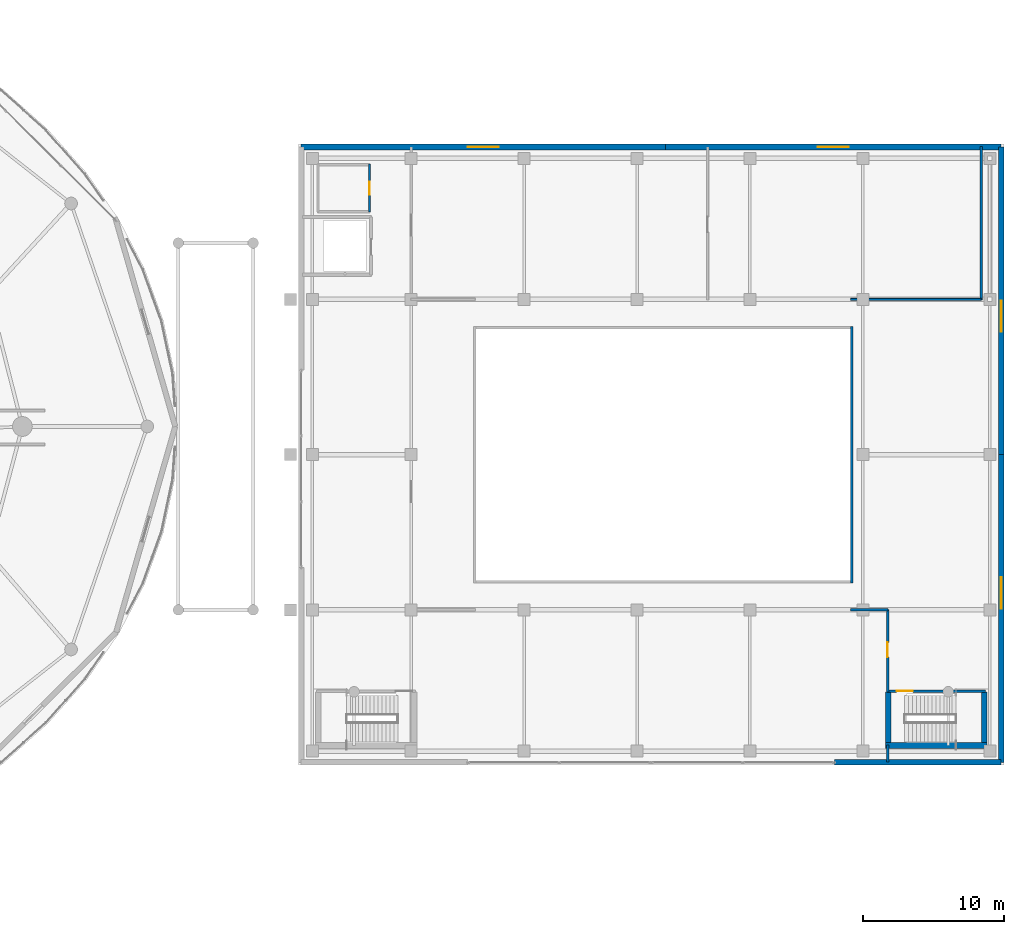
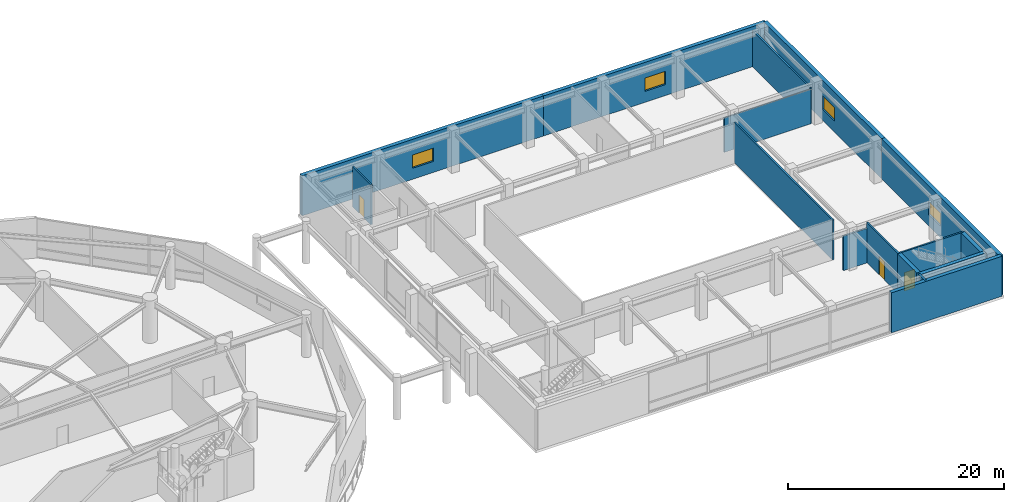
# One storey, part 31 of 40: 16 walls, 4 windows, 3 doors, 7 openings.
"""IFC4 building model written with IfcOpenShell, lengths in metres."""

from ifc_helpers import new_model, si_unit, direction, frame, frame_2d, origin, place, context, subcontext, project, spatial, rectangle, extrude, material, layer, layer_set, type_object, element, fill, save


model = new_model("IFC4")

# Units and contexts
model_context = context("Model", 3, precision=1e-05, world=origin(), true_north=direction((0.0, 1.0)))
body_context = subcontext(model_context, "Body", "Model", "MODEL_VIEW")
ifc_project = project(units=[si_unit("LENGTHUNIT", "METRE"), si_unit("AREAUNIT", "SQUARE_METRE"), si_unit("VOLUMEUNIT", "CUBIC_METRE"), si_unit("PLANEANGLEUNIT", "RADIAN"), si_unit("MASSUNIT", "GRAM", prefix="KILO")], contexts=[model_context])

# Site, building, storey
site_placement = place(None, origin())
site = spatial("IfcSite", under=ifc_project, at=site_placement, CompositionType="ELEMENT")
building_placement = place(site_placement, origin())
building = spatial("IfcBuilding", under=site, at=building_placement, Name="Kazevale Care Tower and Concert Hall", CompositionType="ELEMENT")
storey_placement = place(building_placement, frame((0.0, 0.0, 4.800048828125)))
storey = spatial("IfcBuildingStorey", under=building, at=storey_placement, Name="L01", CompositionType="ELEMENT", Elevation=4.800048828125)

# Walls
ifc_material_1 = material(Name="Acoustic Gypsum on Steel Stud", Category="steel")
ifc_layer_1 = layer(ifc_material_1, 0.139892578125)
ifc_layer_set_1 = layer_set([ifc_layer_1], Name="Acoustic Gypsum on Steel Stud")
wall_type_1 = type_object("IfcWallType", Name="Acoustic Care & Suite Partition 140", PredefinedType="PARTITIONING", material=ifc_layer_set_1)
wall_1_placement = place(storey_placement, frame((144.3798828125, 47.0, 0.0), z_axis=(0.0, 0.0, 1.0), x_axis=(-1.0, 0.0, 0.0)))
element("IfcWall", 1, at=wall_1_placement, inside=storey, type_object=wall_type_1, Name="wall:L01:auto_034", PredefinedType="PARTITIONING", context=body_context, shape_type="SweptSolid", body=[
    extrude(rectangle(XDim=9.244873046875, YDim=0.139892578125, at=frame_2d((4.62255859375, 0.0))), origin(), (0.0, 0.0, 1.0), 3.89892578125),
])
ifc_material_2 = material(Name="Concrete C40 with Honed Limestone Cladding", Category="masonry")
ifc_layer_2 = layer(ifc_material_2, 0.39990234375)
ifc_layer_set_2 = layer_set([ifc_layer_2], Name="Concrete C40 with Honed Limestone Cladding")
wall_type_2 = type_object("IfcWallType", Name="Concert Hall Acoustic Limestone Wall 400", PredefinedType="STANDARD", material=ifc_layer_set_2)
wall_2_placement = place(storey_placement, frame((134.0, 14.199951171875, 0.0), z_axis=(0.0, 0.0, 1.0), x_axis=(1.0, 0.0, 0.0)))
element("IfcWall", 2, at=wall_2_placement, inside=storey, type_object=wall_type_2, Name="wall:L01:hallew:S4", PredefinedType="STANDARD", context=body_context, shape_type="SweptSolid", body=[
    extrude(rectangle(XDim=11.800048828125, YDim=0.39990234375, at=frame_2d((5.89990234375, 0.0))), origin(), (0.0, 0.0, 1.0), 4.52001953125),
])

# Wall, opening, window
wall_3_placement = place(storey_placement, frame((145.800048828125, 14.199951171875, 0.0), z_axis=(0.0, 0.0, 1.0), x_axis=(0.0, 1.0, 0.0)))
wall_3 = element("IfcWall", 3, at=wall_3_placement, inside=storey, type_object=wall_type_2, Name="wall:L01:hallew:E1", PredefinedType="STANDARD", context=body_context, shape_type="SweptSolid", body=[
    extrude(rectangle(XDim=21.800048828125, YDim=0.39990234375, at=frame_2d((10.89990234375, 0.0))), origin(), (0.0, 0.0, 1.0), 4.52001953125),
])
opening_1_placement = place(wall_3_placement, frame((10.89990234375, 0.0, 1.25)))
opening_1 = element("IfcOpeningElement", 4, at=opening_1_placement, cuts=wall_3, Name="Opening WIN-3", PredefinedType="OPENING", context=body_context, shape_type="SweptSolid", body=[
    extrude(rectangle(XDim=2.199951171875, YDim=1.5, at=frame_2d((1.10009765625, 0.75))), frame((0.0, 0.2099609375, 0.0), z_axis=(0.0, -1.0, 0.0), x_axis=(1.0, 0.0, 0.0)), (0.0, 0.0, 1.0), 0.419921875),
])
ifc_material_3 = material(Name="Low-E Laminated Glass", Category="glass")
window_type = type_object("IfcWindowType", Name="Concert Hall Clerestory Window 2200x1500", PartitioningType="TRIPLE_PANEL_VERTICAL", PredefinedType="WINDOW", material=ifc_material_3)
window_1_placement = place(opening_1_placement, origin())
window_1 = element("IfcWindow", 5, at=window_1_placement, inside=storey, type_object=window_type, Name="win:L01:hall:E1", OverallHeight=1.5, OverallWidth=2.199951171875, PartitioningType="SINGLE_PANEL", PredefinedType="WINDOW", context=body_context, shape_type="SweptSolid", body=[
    extrude(rectangle(XDim=2.199951171875, YDim=1.5, at=frame_2d((1.10009765625, 0.75))), frame((0.0, 0.030029296875, 0.0), z_axis=(0.0, -1.0, 0.0), x_axis=(1.0, 0.0, 0.0)), (0.0, 0.0, 1.0), 0.06005859375),
])
fill(opening_1, window_1)

wall_4_placement = place(storey_placement, frame((145.800048828125, 36.0, 0.0), z_axis=(0.0, 0.0, 1.0), x_axis=(0.0, 1.0, 0.0)))
wall_4 = element("IfcWall", 6, at=wall_4_placement, inside=storey, type_object=wall_type_2, Name="wall:L01:hallew:E2", PredefinedType="STANDARD", context=body_context, shape_type="SweptSolid", body=[
    extrude(rectangle(XDim=21.800048828125, YDim=0.39990234375, at=frame_2d((10.89990234375, 0.0))), origin(), (0.0, 0.0, 1.0), 4.52001953125),
])
opening_2_placement = place(wall_4_placement, frame((8.699951171875, 0.0, 1.25)))
opening_2 = element("IfcOpeningElement", 7, at=opening_2_placement, cuts=wall_4, Name="Opening WIN-3", PredefinedType="OPENING", context=body_context, shape_type="SweptSolid", body=[
    extrude(rectangle(XDim=2.199951171875, YDim=1.5, at=frame_2d((1.10009765625, 0.75))), frame((0.0, 0.2099609375, 0.0), z_axis=(0.0, -1.0, 0.0), x_axis=(1.0, 0.0, 0.0)), (0.0, 0.0, 1.0), 0.419921875),
])
window_2_placement = place(opening_2_placement, origin())
window_2 = element("IfcWindow", 8, at=window_2_placement, inside=storey, type_object=window_type, Name="win:L01:hall:E2", OverallHeight=1.5, OverallWidth=2.199951171875, PartitioningType="SINGLE_PANEL", PredefinedType="WINDOW", context=body_context, shape_type="SweptSolid", body=[
    extrude(rectangle(XDim=2.199951171875, YDim=1.5, at=frame_2d((1.10009765625, 0.75))), frame((0.0, 0.030029296875, 0.0), z_axis=(0.0, -1.0, 0.0), x_axis=(1.0, 0.0, 0.0)), (0.0, 0.0, 1.0), 0.06005859375),
])
fill(opening_2, window_2)

wall_5_placement = place(storey_placement, frame((145.800048828125, 57.800048828125, 0.0), z_axis=(0.0, 0.0, 1.0), x_axis=(-1.0, 0.0, 0.0)))
wall_5 = element("IfcWall", 9, at=wall_5_placement, inside=storey, type_object=wall_type_2, Name="wall:L01:hallew:N1", PredefinedType="STANDARD", context=body_context, shape_type="SweptSolid", body=[
    extrude(rectangle(XDim=23.800048828125, YDim=0.39990234375, at=frame_2d((11.89990234375, 0.0))), origin(), (0.0, 0.0, 1.0), 4.52001953125),
])
opening_3_placement = place(wall_5_placement, frame((10.800048828125, 0.0, 1.25)))
opening_3 = element("IfcOpeningElement", 10, at=opening_3_placement, cuts=wall_5, Name="Opening WIN-3", PredefinedType="OPENING", context=body_context, shape_type="SweptSolid", body=[
    extrude(rectangle(XDim=2.199951171875, YDim=1.5, at=frame_2d((1.10009765625, 0.75))), frame((0.0, 0.2099609375, 0.0), z_axis=(0.0, -1.0, 0.0), x_axis=(1.0, 0.0, 0.0)), (0.0, 0.0, 1.0), 0.419921875),
])
window_3_placement = place(opening_3_placement, origin())
window_3 = element("IfcWindow", 11, at=window_3_placement, inside=storey, type_object=window_type, Name="win:L01:hall:N1", OverallHeight=1.5, OverallWidth=2.199951171875, PartitioningType="SINGLE_PANEL", PredefinedType="WINDOW", context=body_context, shape_type="SweptSolid", body=[
    extrude(rectangle(XDim=2.199951171875, YDim=1.5, at=frame_2d((1.10009765625, 0.75))), frame((0.0, 0.030029296875, 0.0), z_axis=(0.0, -1.0, 0.0), x_axis=(1.0, 0.0, 0.0)), (0.0, 0.0, 1.0), 0.06005859375),
])
fill(opening_3, window_3)

wall_6_placement = place(storey_placement, frame((122.0, 57.800048828125, 0.0), z_axis=(0.0, 0.0, 1.0), x_axis=(-1.0, 0.0, 0.0)))
wall_6 = element("IfcWall", 12, at=wall_6_placement, inside=storey, type_object=wall_type_2, Name="wall:L01:hallew:N2", PredefinedType="STANDARD", context=body_context, shape_type="SweptSolid", body=[
    extrude(rectangle(XDim=25.800048828125, YDim=0.39990234375, at=frame_2d((12.89990234375, 0.0))), origin(), (0.0, 0.0, 1.0), 4.52001953125),
])
opening_4_placement = place(wall_6_placement, frame((11.800048828125, 0.0, 1.25)))
opening_4 = element("IfcOpeningElement", 13, at=opening_4_placement, cuts=wall_6, Name="Opening WIN-3", PredefinedType="OPENING", context=body_context, shape_type="SweptSolid", body=[
    extrude(rectangle(XDim=2.199951171875, YDim=1.5, at=frame_2d((1.10009765625, 0.75))), frame((0.0, 0.2099609375, 0.0), z_axis=(0.0, -1.0, 0.0), x_axis=(1.0, 0.0, 0.0)), (0.0, 0.0, 1.0), 0.419921875),
])
window_4_placement = place(opening_4_placement, origin())
window_4 = element("IfcWindow", 14, at=window_4_placement, inside=storey, type_object=window_type, Name="win:L01:hall:N2", OverallHeight=1.5, OverallWidth=2.199951171875, PartitioningType="SINGLE_PANEL", PredefinedType="WINDOW", context=body_context, shape_type="SweptSolid", body=[
    extrude(rectangle(XDim=2.199951171875, YDim=1.5, at=frame_2d((1.10009765625, 0.75))), frame((0.0, 0.030029296875, 0.0), z_axis=(0.0, -1.0, 0.0), x_axis=(1.0, 0.0, 0.0)), (0.0, 0.0, 1.0), 0.06005859375),
])
fill(opening_4, window_4)

# Walls
ifc_material_4 = material(Name="Concrete C50", Category="concrete")
ifc_layer_3 = layer(ifc_material_4, 0.39990234375)
ifc_layer_set_3 = layer_set([ifc_layer_3], Name="Concrete C50")
wall_type_3 = type_object("IfcWallType", Name="Concert Hall Shear Core Wall 400 C50", PredefinedType="SHEAR", material=ifc_layer_set_3)
wall_7_placement = place(storey_placement, frame((137.60009765625, 15.39990234375, 0.0), z_axis=(0.0, 0.0, 1.0), x_axis=(1.0, 0.0, 0.0)))
element("IfcWall", 15, at=wall_7_placement, inside=storey, type_object=wall_type_3, Name="wall:L01:ST5:S", PredefinedType="SHEAR", context=body_context, shape_type="SweptSolid", body=[
    extrude(rectangle(XDim=7.199951171875, YDim=0.39990234375, at=frame_2d((3.60009765625, 0.0))), origin(), (0.0, 0.0, 1.0), 4.52001953125),
])
for number, where, z_axis, x_axis, name in (
    (16, (137.800048828125, 15.60009765625, 0.0), (0.0, 0.0, 1.0), (0.0, 1.0, 0.0), "wall:L01:ST5:W"),
    (17, (144.60009765625, 15.60009765625, 0.0), (0.0, 0.0, 1.0), (0.0, 1.0, 0.0), "wall:L01:ST5:E"),
):
    element("IfcWall", number, at=place(storey_placement, frame(where, z_axis=z_axis, x_axis=x_axis)), inside=storey, type_object=wall_type_3, Name=name, PredefinedType="SHEAR", context=body_context, shape_type="SweptSolid", body=[
        extrude(rectangle(XDim=3.599853515625, YDim=0.39990234375, at=frame_2d((1.7998046875, 0.0))), origin(), (0.0, 0.0, 1.0), 4.52001953125),
    ])

# Wall, opening, door
ifc_material_5 = material(Name="Concrete C40 and Acoustic Gypsum", Category="concrete")
ifc_layer_4 = layer(ifc_material_5, 0.179931640625)
ifc_layer_set_4 = layer_set([ifc_layer_4], Name="Concrete C40 and Acoustic Gypsum")
wall_type_4 = type_object("IfcWallType", Name="Fire-Rated Corridor & Party Wall 180", PredefinedType="PARTITIONING", material=ifc_layer_set_4)
wall_8_placement = place(storey_placement, frame((137.699951171875, 19.25, 0.0), z_axis=(0.0, 0.0, 1.0), x_axis=(1.0, 0.0, 0.0)))
wall_8 = element("IfcWall", 18, at=wall_8_placement, inside=storey, type_object=wall_type_4, Name="wall:L01:hall_st5_n", PredefinedType="PARTITIONING", context=body_context, shape_type="SweptSolid", body=[
    extrude(rectangle(XDim=7.0, YDim=0.179931640625, at=frame_2d((3.5, 0.0))), origin(), (0.0, 0.0, 1.0), 4.52001953125),
])
opening_5_placement = place(wall_8_placement, frame((0.68505859375, 0.0, 0.0)))
opening_5 = element("IfcOpeningElement", 19, at=opening_5_placement, cuts=wall_8, Name="Opening FD-90", PredefinedType="OPENING", context=body_context, shape_type="SweptSolid", body=[
    extrude(rectangle(XDim=1.14990234375, YDim=2.10009765625, at=frame_2d((0.574951171875, 1.050048828125))), frame((0.0, 0.099853515625, 0.0), z_axis=(0.0, -1.0, 0.0), x_axis=(1.0, 0.0, 0.0)), (0.0, 0.0, 1.0), 0.199951171875),
])
ifc_material_6 = material(Name="Steel ASTM A572 Gr 50", Category="steel")
door_type_1 = type_object("IfcDoorType", Name="Pressurized Stair & Lobby Fire Door 1150x2100", OperationType="NOTDEFINED", PredefinedType="DOOR", material=ifc_material_6)
door_1_placement = place(opening_5_placement, origin())
door_1 = element("IfcDoor", 20, at=door_1_placement, inside=storey, type_object=door_type_1, Name="door:L01:hst5", OperationType="SINGLE_SWING_LEFT", OverallHeight=2.10009765625, OverallWidth=1.14990234375, PredefinedType="DOOR", context=body_context, shape_type="SweptSolid", body=[
    extrude(rectangle(XDim=1.14990234375, YDim=2.10009765625, at=frame_2d((0.574951171875, 1.050048828125))), frame((0.0, 0.02490234375, 0.0), z_axis=(0.0, -1.0, 0.0), x_axis=(1.0, 0.0, 0.0)), (0.0, 0.0, 1.0), 0.050048828125),
])
fill(opening_5, door_1)

# Walls
wall_9_placement = place(storey_placement, frame((135.199951171875, 26.89990234375, 0.0), z_axis=(0.0, 0.0, 1.0), x_axis=(0.0, 1.0, 0.0)))
element("IfcWall", 21, at=wall_9_placement, inside=storey, type_object=wall_type_4, Name="wall:L01:hvoid_e", PredefinedType="PARTITIONING", context=body_context, shape_type="SweptSolid", body=[
    extrude(rectangle(XDim=18.2001953125, YDim=0.179931640625, at=frame_2d((9.10009765625, 0.0))), origin(), (0.0, 0.0, 1.0), 4.52001953125),
])
wall_10_placement = place(storey_placement, frame((144.3798828125, 46.949951171875, 0.0), z_axis=(0.0, 0.0, 1.0), x_axis=(0.0, 1.0, 0.0)))
element("IfcWall", 22, at=wall_10_placement, inside=storey, type_object=wall_type_4, Name="wall:L01:hbrace_chase_e", PredefinedType="PARTITIONING", context=body_context, shape_type="SweptSolid", body=[
    extrude(rectangle(XDim=10.900146484375, YDim=0.179931640625, at=frame_2d((5.4501953125, 0.0))), origin(), (0.0, 0.0, 1.0), 4.093017578125),
])

# Wall, opening, door
wall_11_placement = place(storey_placement, frame((137.75, 25.030029296875, 0.0), z_axis=(0.0, 0.0, 1.0), x_axis=(0.0, -1.0, 0.0)))
wall_11 = element("IfcWall", 23, at=wall_11_placement, inside=storey, type_object=wall_type_4, Name="wall:L01:auto_029", PredefinedType="PARTITIONING", context=body_context, shape_type="SweptSolid", body=[
    extrude(rectangle(XDim=5.844970703125, YDim=0.179931640625, at=frame_2d((2.92236328125, 0.0))), origin(), (0.0, 0.0, 1.0), 4.52001953125),
])
opening_6_placement = place(wall_11_placement, frame((2.322021484375, 0.0, 0.0)))
opening_6 = element("IfcOpeningElement", 24, at=opening_6_placement, cuts=wall_11, Name="Opening FD-60", PredefinedType="OPENING", context=body_context, shape_type="SweptSolid", body=[
    extrude(rectangle(XDim=1.050048828125, YDim=2.10009765625, at=frame_2d((0.52490234375, 1.050048828125))), frame((0.0, 0.099853515625, 0.0), z_axis=(0.0, -1.0, 0.0), x_axis=(1.0, 0.0, 0.0)), (0.0, 0.0, 1.0), 0.199951171875),
])
ifc_material_7 = material(Name="Oak Timber Fire Leaf", Category="wood")
door_type_2 = type_object("IfcDoorType", Name="Apartment & Corridor Fire Door 1050x2100", OperationType="NOTDEFINED", PredefinedType="DOOR", material=ifc_material_7)
door_2_placement = place(opening_6_placement, origin())
door_2 = element("IfcDoor", 25, at=door_2_placement, inside=storey, type_object=door_type_2, Name="door:L01:ad_029", OperationType="SINGLE_SWING_LEFT", OverallHeight=2.10009765625, OverallWidth=1.050048828125, PredefinedType="DOOR", context=body_context, shape_type="SweptSolid", body=[
    extrude(rectangle(XDim=1.050048828125, YDim=2.10009765625, at=frame_2d((0.52490234375, 1.050048828125))), frame((0.0, 0.02490234375, 0.0), z_axis=(0.0, -1.0, 0.0), x_axis=(1.0, 0.0, 0.0)), (0.0, 0.0, 1.0), 0.050048828125),
])
fill(opening_6, door_2)

# Walls
wall_12_placement = place(storey_placement, frame((135.135009765625, 25.0, 0.0), z_axis=(0.0, 0.0, 1.0), x_axis=(1.0, 0.0, 0.0)))
element("IfcWall", 26, at=wall_12_placement, inside=storey, type_object=wall_type_4, Name="wall:L01:auto_030", PredefinedType="PARTITIONING", context=body_context, shape_type="SweptSolid", body=[
    extrude(rectangle(XDim=2.64501953125, YDim=0.179931640625, at=frame_2d((1.322509765625, 0.0))), origin(), (0.0, 0.0, 1.0), 3.89892578125),
])
wall_13_placement = place(storey_placement, frame((137.75, 15.4150390625, 0.0), z_axis=(0.0, 0.0, 1.0), x_axis=(0.0, -1.0, 0.0)))
element("IfcWall", 27, at=wall_13_placement, inside=storey, type_object=wall_type_4, Name="wall:L01:auto_031", PredefinedType="PARTITIONING", context=body_context, shape_type="SweptSolid", body=[
    extrude(rectangle(XDim=1.205078125, YDim=0.179931640625, at=frame_2d((0.6025390625, 0.0))), origin(), (0.0, 0.0, 1.0), 4.52001953125),
])

# Wall, opening, door
ifc_layer_5 = layer(ifc_material_1, 0.159912109375)
ifc_layer_set_5 = layer_set([ifc_layer_5], Name="Acoustic Gypsum on Steel Stud")
wall_type_5 = type_object("IfcWallType", Name="Moisture-Resistant Bathroom Plumbing Wall 160", PredefinedType="PLUMBINGWALL", material=ifc_layer_set_5)
wall_14_placement = place(storey_placement, frame((101.050048828125, 53.179931640625, 0.0), z_axis=(0.0, 0.0, 1.0), x_axis=(0.0, 1.0, 0.0)))
wall_14 = element("IfcWall", 28, at=wall_14_placement, inside=storey, type_object=wall_type_5, Name="wall:L01:hall_wc_we", PredefinedType="PLUMBINGWALL", context=body_context, shape_type="SweptSolid", body=[
    extrude(rectangle(XDim=3.41015625, YDim=0.159912109375, at=frame_2d((1.705078125, 0.0))), origin(), (0.0, 0.0, 1.0), 4.52001953125),
])
opening_7_placement = place(wall_14_placement, frame((1.2548828125, 0.0, 0.0)))
opening_7 = element("IfcOpeningElement", 29, at=opening_7_placement, cuts=wall_14, Name="Opening ID-900", PredefinedType="OPENING", context=body_context, shape_type="SweptSolid", body=[
    extrude(rectangle(XDim=0.919921875, YDim=2.10009765625, at=frame_2d((0.4599609375, 1.050048828125))), frame((0.0, 0.08984375, 0.0), z_axis=(0.0, -1.0, 0.0), x_axis=(1.0, 0.0, 0.0)), (0.0, 0.0, 1.0), 0.179931640625),
])
door_type_3 = type_object("IfcDoorType", Name="Bathroom & Service Door 920x2100", OperationType="NOTDEFINED", PredefinedType="DOOR", material=ifc_material_7)
door_3_placement = place(opening_7_placement, origin())
door_3 = element("IfcDoor", 30, at=door_3_placement, inside=storey, type_object=door_type_3, Name="door:L01:hall_wc_d", OperationType="SINGLE_SWING_LEFT", OverallHeight=2.10009765625, OverallWidth=0.919921875, PredefinedType="DOOR", context=body_context, shape_type="SweptSolid", body=[
    extrude(rectangle(XDim=0.919921875, YDim=2.10009765625, at=frame_2d((0.4599609375, 1.050048828125))), frame((0.0, 0.02490234375, 0.0), z_axis=(0.0, -1.0, 0.0), x_axis=(1.0, 0.0, 0.0)), (0.0, 0.0, 1.0), 0.050048828125),
])
fill(opening_7, door_3)

save(model, "model.ifc")
